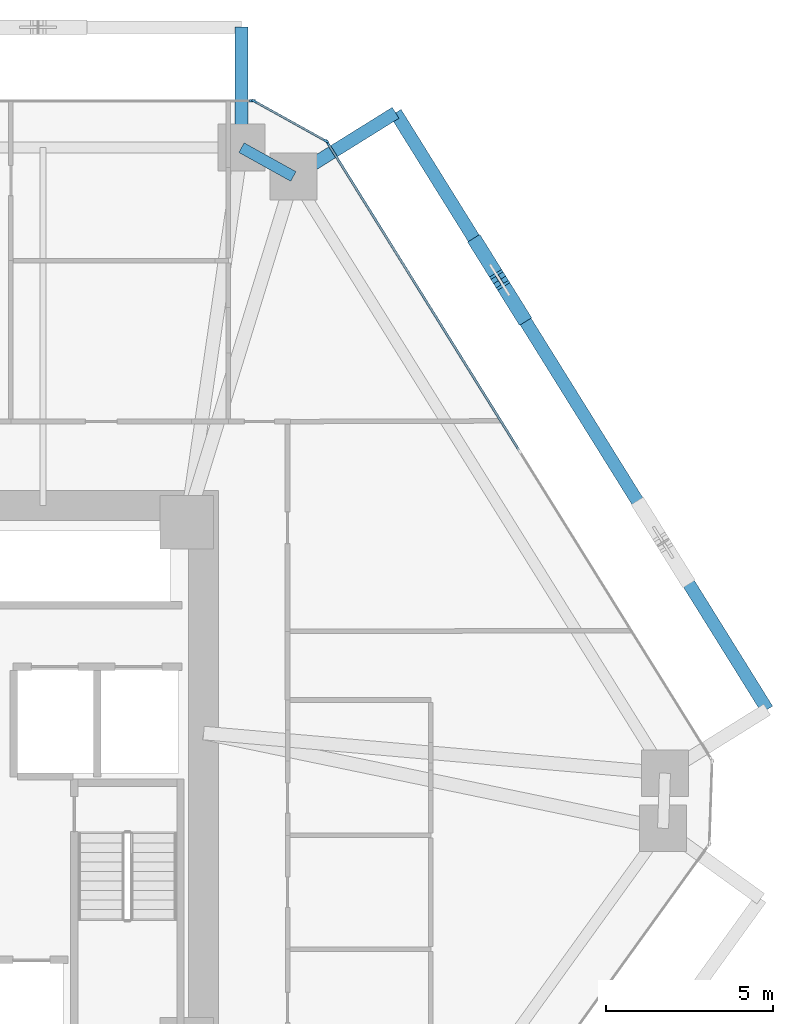
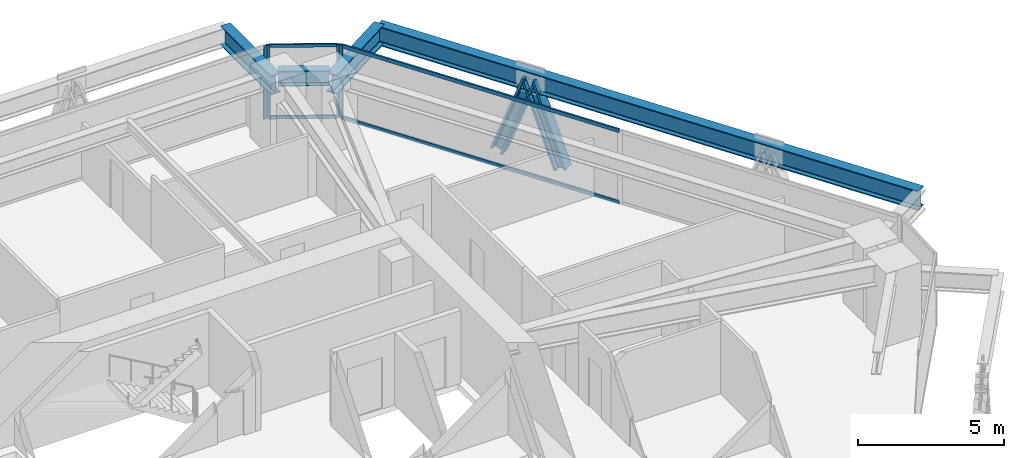
# One storey, part 9 of 17: 10 members, 4 beams, 3 elements without a shape of their own.
"""IFC4 building model written with IfcOpenShell, lengths in metres."""

from ifc_helpers import new_model, si_unit, direction, frame, origin, origin_2d, place, context, subcontext, project, spatial, rectangle, i_section, extrude, source, transform, mapped, material, layer, layer_set, material_profile, profile_set, type_object, type_shapes, element, aggregate, save


model = new_model("IFC4")

# Units and contexts
model_context = context("Model", 3, precision=1e-05, world=origin(), true_north=direction((0.0, 1.0)))
body_context = subcontext(model_context, "Body", "Model", "MODEL_VIEW")
ifc_project = project(units=[si_unit("LENGTHUNIT", "METRE"), si_unit("AREAUNIT", "SQUARE_METRE"), si_unit("VOLUMEUNIT", "CUBIC_METRE"), si_unit("PLANEANGLEUNIT", "RADIAN"), si_unit("MASSUNIT", "GRAM", prefix="KILO")], contexts=[model_context])

# Site, building, storey
site_placement = place(None, origin())
site = spatial("IfcSite", under=ifc_project, at=site_placement, CompositionType="ELEMENT")
building_placement = place(site_placement, origin())
building = spatial("IfcBuilding", under=site, at=building_placement, Name="Durnholm Broadcast Tower", CompositionType="ELEMENT")
storey_placement = place(building_placement, frame((0.0, 0.0, 45.60009765625)))
storey = spatial("IfcBuildingStorey", under=building, at=storey_placement, Name="L10", CompositionType="ELEMENT", Elevation=45.60009765625)

# Beams
ifc_material_1 = material(Name="Steel ASTM A992 Grade 50", Category="steel")
ifc_material_profile_1 = material_profile(ifc_material_1, i_section(OverallWidth=0.3291015625, OverallDepth=0.635009765625, WebThickness=0.017822265625, FlangeThickness=0.031005859375, FilletRadius=0.02783203125, at=origin_2d()), Name="W24X162")
ifc_profile_set_1 = profile_set([ifc_material_profile_1], Name="Steel ASTM A992 Grade 50")
beam_type_1 = type_object("IfcBeamType", Name="STL-SP-W24X162", PredefinedType="SPANDREL", material=ifc_profile_set_1)
shared_shape_1 = source(origin(), body_context, "Body", "SweptSolid", [
    extrude(i_section(OverallWidth=0.3291015625, OverallDepth=0.635009765625, WebThickness=0.017822265625, FlangeThickness=0.031005859375, FilletRadius=0.02783203125, at=origin_2d()), origin(), (0.0, 0.0, 1.0), 1.774658203125),
])
type_shapes(beam_type_1, [shared_shape_1])
beam_1_placement = place(storey_placement, frame((11.43115234375, 19.0, 2.727294921875), z_axis=(0.874248107979, -0.485479397806, 0.0), x_axis=(0.485479397806, 0.874248107979, 0.0)))
element("IfcBeam", 1, at=beam_1_placement, inside=storey, type_object=beam_type_1, Name="L10 perimeter spandrel girder 06", PredefinedType="SPANDREL", context=body_context, shape_type="MappedRepresentation", body=[
    mapped(shared_shape_1, transform((0.0, 0.0, 0.0), x_axis=(1.0, 0.0, 0.0), y_axis=(0.0, 1.0, 0.0), z_axis=(0.0, 0.0, 1.0), scale=1.0)),
])
ifc_material_profile_2 = material_profile(ifc_material_1, i_section(OverallWidth=0.385009765625, OverallDepth=0.802978515625, WebThickness=0.023681640625, FlangeThickness=0.0419921875, FilletRadius=0.032958984375, at=origin_2d()), Name="W30X261")
ifc_profile_set_2 = profile_set([ifc_material_profile_2], Name="Steel ASTM A992 Grade 50")
beam_type_2 = type_object("IfcBeamType", Name="BM-EXO-TIE", PredefinedType="USERDEFINED", material=ifc_profile_set_2)
shared_shape_2 = source(origin(), body_context, "Body", "SweptSolid", [
    extrude(i_section(OverallWidth=0.385009765625, OverallDepth=0.802978515625, WebThickness=0.023681640625, FlangeThickness=0.0419921875, FilletRadius=0.032958984375, at=origin_2d()), origin(), (0.0, 0.0, 1.0), 3.4560546875),
])
for number, where, z_axis, x_axis, name in (
    (2, (13.10498046875, 18.214599609375, 2.308349609375), (0.848854443891, 0.528626648105, 0.0), (-0.528626648105, 0.848854443891, 0.0), "L10 exoskeleton stand-off tie bracket F3.2"),
    (3, (11.43115234375, 19.14404296875, 2.308349609375), (0.0, 1.0, 0.0), (-1.0, 0.0, 0.0), "L10 exoskeleton stand-off tie bracket F4.1"),
):
    element("IfcBeam", number, at=place(storey_placement, frame(where, z_axis=z_axis, x_axis=x_axis)), inside=storey, type_object=beam_type_2, Name=name, ObjectType="GIRDER", PredefinedType="USERDEFINED", context=body_context, shape_type="MappedRepresentation", body=[
        mapped(shared_shape_2, transform((0.0, 0.0, 0.0), x_axis=(1.0, 0.0, 0.0), y_axis=(0.0, 1.0, 0.0), z_axis=(0.0, 0.0, 1.0), scale=1.0)),
    ])
shared_shape_3 = source(origin(), body_context, "Body", "SweptSolid", [
    extrude(i_section(OverallWidth=0.385009765625, OverallDepth=0.802978515625, WebThickness=0.023681640625, FlangeThickness=0.0419921875, FilletRadius=0.032958984375, at=origin_2d()), origin(), (0.0, 0.0, 1.0), 21.0146484375),
])
type_shapes(beam_type_2, [shared_shape_2, shared_shape_3])
beam_2_placement = place(storey_placement, frame((27.146728515625, 2.20263671875, 2.308349609375), z_axis=(-0.528590518575, 0.848876942597, 0.0), x_axis=(-0.848876942597, -0.528590518575, 0.0)))
element("IfcBeam", 4, at=beam_2_placement, inside=storey, type_object=beam_type_2, Name="L10 exoskeleton collector spandrel F3", PredefinedType="SPANDREL", context=body_context, shape_type="MappedRepresentation", body=[
    mapped(shared_shape_3, transform((0.0, 0.0, 0.0), x_axis=(1.0, 0.0, 0.0), y_axis=(0.0, 1.0, 0.0), z_axis=(0.0, 0.0, 1.0), scale=1.0)),
])

# Members
ifc_material_2 = material(Name="Steel ASTM A913 Grade 65", Category="steel")
ifc_material_profile_3 = material_profile(ifc_material_2, i_section(OverallWidth=0.43212890625, OverallDepth=0.497802734375, WebThickness=0.0556640625, FlangeThickness=0.0888671875, FilletRadius=0.030517578125, at=origin_2d()), Name="W14X500")
ifc_profile_set_3 = profile_set([ifc_material_profile_3], Name="Steel ASTM A913 Grade 65")
member_type_1 = type_object("IfcMemberType", Name="STL-DG-W14X500", PredefinedType="BRACE", material=ifc_profile_set_3)
shared_shape_4 = source(origin(), body_context, "Body", "SweptSolid", [
    extrude(i_section(OverallWidth=0.43212890625, OverallDepth=0.497802734375, WebThickness=0.0556640625, FlangeThickness=0.0888671875, FilletRadius=0.030517578125, at=origin_2d()), origin(), (0.0, 0.0, 1.0), 3.52294921875),
])
type_shapes(member_type_1, [shared_shape_4])
for number, where, z_axis, x_axis, name in (
    (5, (19.801025390625, 13.9990234375, -0.991455078125), (-0.185102397695, 0.297300369192, 0.936669414919), (-0.848908635391, -0.528539618911, 0.0), "L10 stand-off diagrid brace F3.D2.1"),
    (6, (18.496826171875, 16.09375, -0.991455078125), (0.185102397695, -0.297300369192, 0.936669414919), (0.848908635391, 0.528539618911, 0.0), "L10 stand-off diagrid brace F3.D2.2"),
):
    element("IfcMember", number, at=place(storey_placement, frame(where, z_axis=z_axis, x_axis=x_axis)), inside=storey, type_object=member_type_1, Name=name, PredefinedType="BRACE", context=body_context, shape_type="MappedRepresentation", body=[
        mapped(shared_shape_4, transform((0.0, 0.0, 0.0), x_axis=(1.0, 0.0, 0.0), y_axis=(0.0, 1.0, 0.0), z_axis=(0.0, 0.0, 1.0), scale=1.0)),
    ])

# Curtain wall, members
ifc_material_3 = material(Name="Aluminium and Solar Control IGU", Category="aluminium")
ifc_layer_1 = layer(ifc_material_3, 0.1650390625)
ifc_layer_set_1 = layer_set([ifc_layer_1], Name="Aluminium and Solar Control IGU")
curtain_wall_type_1 = type_object("IfcCurtainWallType", Name="CW-SYS-5", PredefinedType="NOTDEFINED", material=ifc_layer_set_1)
curtain_wall_1_placement = place(storey_placement, origin())
curtain_wall_1 = element("IfcCurtainWall", 7, at=curtain_wall_1_placement, inside=storey, type_object=curtain_wall_type_1, Name="L10 curtain wall CW-CORNER CW-L10-CRN-05", PredefinedType="NOTDEFINED")
ifc_material_4 = material(Name="Aluminium 6063-T6", Category="aluminium")
ifc_material_profile_4 = material_profile(ifc_material_4, rectangle(XDim=0.06494140625, YDim=0.1298828125, at=origin_2d()), Name="CWT65X130")
ifc_profile_set_4 = profile_set([ifc_material_profile_4], Name="Aluminium 6063-T6")
member_type_2 = type_object("IfcMemberType", Name="CW-SYS-5-TRN", PredefinedType="USERDEFINED", material=ifc_profile_set_4)
shared_shape_5 = source(origin(), body_context, "Body", "SweptSolid", [
    extrude(rectangle(XDim=0.06494140625, YDim=0.1298828125, at=origin_2d()), origin(), (0.0, 0.0, 1.0), 2.3701171875),
])
type_shapes(member_type_2, [shared_shape_5])
member_1_placement = place(storey_placement, frame((11.8505859375, 20.368408203125, 0.032470703125), z_axis=(0.874244723151, -0.485485493132, 0.0), x_axis=(0.485485493132, 0.874244723151, 0.0)))
member_1 = element("IfcMember", 8, at=member_1_placement, type_object=member_type_2, Name="CW-CORNER transom 1.1", ObjectType="TRANSOM", PredefinedType="USERDEFINED", context=body_context, shape_type="MappedRepresentation", body=[
    mapped(shared_shape_5, transform((0.0, 0.0, 0.0), x_axis=(1.0, 0.0, 0.0), y_axis=(0.0, 1.0, 0.0), z_axis=(0.0, 0.0, 1.0), scale=1.0)),
])
member_2_placement = place(storey_placement, frame((11.8505859375, 20.368408203125, 3.02734375), z_axis=(0.874244723151, -0.485485493132, 0.0), x_axis=(0.485485493132, 0.874244723151, 0.0)))
member_2 = element("IfcMember", 9, at=member_2_placement, type_object=member_type_2, Name="CW-CORNER transom 1.2", ObjectType="TRANSOM", PredefinedType="USERDEFINED", context=body_context, shape_type="MappedRepresentation", body=[
    mapped(shared_shape_5, transform((0.0, 0.0, 0.0), x_axis=(1.0, 0.0, 0.0), y_axis=(0.0, 1.0, 0.0), z_axis=(0.0, 0.0, 1.0), scale=1.0)),
])

ifc_layer_2 = layer(ifc_material_3, 0.18994140625)
ifc_layer_set_2 = layer_set([ifc_layer_2], Name="Aluminium and Solar Control IGU")
curtain_wall_type_2 = type_object("IfcCurtainWallType", Name="CW-SYS-3", PredefinedType="NOTDEFINED", material=ifc_layer_set_2)
curtain_wall_2_placement = place(storey_placement, origin())
curtain_wall_2 = element("IfcCurtainWall", 10, at=curtain_wall_2_placement, inside=storey, type_object=curtain_wall_type_2, Name="L10 curtain wall CW-Z12-VIS CW-L10-F06", PredefinedType="NOTDEFINED")
ifc_material_profile_5 = material_profile(ifc_material_4, rectangle(XDim=0.070068359375, YDim=0.14990234375, at=origin_2d()), Name="CWT70X150")
ifc_profile_set_5 = profile_set([ifc_material_profile_5], Name="Aluminium 6063-T6")
member_type_3 = type_object("IfcMemberType", Name="CW-SYS-3-TRN", PredefinedType="USERDEFINED", material=ifc_profile_set_5)
shared_shape_6 = source(origin(), body_context, "Body", "SweptSolid", [
    extrude(rectangle(XDim=0.070068359375, YDim=0.14990234375, at=origin_2d()), origin(), (0.0, 0.0, 1.0), 10.796630859375),
])
type_shapes(member_type_3, [shared_shape_6])
member_3_placement = place(storey_placement, frame((14.016357421875, 19.126953125, 0.034912109375), z_axis=(0.528591657678, -0.848876233283, 0.0), x_axis=(0.848876233283, 0.528591657678, 0.0)))
member_3 = element("IfcMember", 11, at=member_3_placement, type_object=member_type_3, Name="CW-Z12-VIS transom 1.1", ObjectType="TRANSOM", PredefinedType="USERDEFINED", context=body_context, shape_type="MappedRepresentation", body=[
    mapped(shared_shape_6, transform((0.0, 0.0, 0.0), x_axis=(1.0, 0.0, 0.0), y_axis=(0.0, 1.0, 0.0), z_axis=(0.0, 0.0, 1.0), scale=1.0)),
])
member_4_placement = place(storey_placement, frame((14.016357421875, 19.126953125, 3.02490234375), z_axis=(0.528591657678, -0.848876233283, 0.0), x_axis=(0.848876233283, 0.528591657678, 0.0)))
member_4 = element("IfcMember", 12, at=member_4_placement, type_object=member_type_3, Name="CW-Z12-VIS transom 1.2", ObjectType="TRANSOM", PredefinedType="USERDEFINED", context=body_context, shape_type="MappedRepresentation", body=[
    mapped(shared_shape_6, transform((0.0, 0.0, 0.0), x_axis=(1.0, 0.0, 0.0), y_axis=(0.0, 1.0, 0.0), z_axis=(0.0, 0.0, 1.0), scale=1.0)),
])

# Member
ifc_material_profile_6 = material_profile(ifc_material_4, rectangle(XDim=0.06494140625, YDim=0.1650390625, at=origin_2d()), Name="CWM65X165")
ifc_profile_set_6 = profile_set([ifc_material_profile_6], Name="Aluminium 6063-T6")
member_type_4 = type_object("IfcMemberType", Name="CW-SYS-5-MUL", PredefinedType="MULLION", material=ifc_profile_set_6)
shared_shape_7 = source(origin(), body_context, "Body", "SweptSolid", [
    extrude(rectangle(XDim=0.06494140625, YDim=0.1650390625, at=origin_2d()), origin(), (0.0, 0.0, 1.0), 3.059814453125),
])
type_shapes(member_type_4, [shared_shape_7])
member_5_placement = place(storey_placement, frame((11.822265625, 20.38427734375, 0.0), z_axis=(0.0, 0.0, 1.0), x_axis=(0.485483299359, 0.874245941394, 0.0)))
member_5 = element("IfcMember", 13, at=member_5_placement, type_object=member_type_4, Name="CW-CORNER mullion 1", PredefinedType="MULLION", context=body_context, shape_type="MappedRepresentation", body=[
    mapped(shared_shape_7, transform((0.0, 0.0, 0.0), x_axis=(1.0, 0.0, 0.0), y_axis=(0.0, 1.0, 0.0), z_axis=(0.0, 0.0, 1.0), scale=1.0)),
])

member_6_placement = place(storey_placement, frame((13.950927734375, 19.2021484375, 0.0), z_axis=(0.0, 0.0, 1.0), x_axis=(0.485483299359, 0.874245941394, 0.0)))
member_6 = element("IfcMember", 14, at=member_6_placement, type_object=member_type_4, Name="CW-CORNER mullion 2", PredefinedType="MULLION", context=body_context, shape_type="MappedRepresentation", body=[
    mapped(shared_shape_7, transform((0.0, 0.0, 0.0), x_axis=(1.0, 0.0, 0.0), y_axis=(0.0, 1.0, 0.0), z_axis=(0.0, 0.0, 1.0), scale=1.0)),
])

aggregate(curtain_wall_1, [member_5, member_6, member_1, member_2])

# Curtain wall, member
curtain_wall_3_placement = place(storey_placement, origin())
curtain_wall_3 = element("IfcCurtainWall", 15, at=curtain_wall_3_placement, inside=storey, type_object=curtain_wall_type_2, Name="L10 curtain wall CW-Z12-VIS CW-L10-F04", PredefinedType="NOTDEFINED")
ifc_material_profile_7 = material_profile(ifc_material_4, rectangle(XDim=0.070068359375, YDim=0.18994140625, at=origin_2d()), Name="CWM70X190")
ifc_profile_set_7 = profile_set([ifc_material_profile_7], Name="Aluminium 6063-T6")
member_type_5 = type_object("IfcMemberType", Name="CW-SYS-3-MUL", PredefinedType="MULLION", material=ifc_profile_set_7)
shared_shape_8 = source(origin(), body_context, "Body", "SweptSolid", [
    extrude(rectangle(XDim=0.070068359375, YDim=0.18994140625, at=origin_2d()), origin(), (0.0, 0.0, 1.0), 3.059814453125),
])
type_shapes(member_type_5, [shared_shape_8])
member_7_placement = place(storey_placement, frame((11.7587890625, 20.39990234375, 0.0), z_axis=(0.0, 0.0, 1.0), x_axis=(0.0, 1.0, 0.0)))
member_7 = element("IfcMember", 16, at=member_7_placement, type_object=member_type_5, Name="CW-Z12-VIS mullion 3", PredefinedType="MULLION", context=body_context, shape_type="MappedRepresentation", body=[
    mapped(shared_shape_8, transform((0.0, 0.0, 0.0), x_axis=(1.0, 0.0, 0.0), y_axis=(0.0, 1.0, 0.0), z_axis=(0.0, 0.0, 1.0), scale=1.0)),
])
aggregate(curtain_wall_3, [member_7])

# Member
member_8_placement = place(storey_placement, frame((13.997802734375, 19.156494140625, 0.0), z_axis=(0.0, 0.0, 1.0), x_axis=(0.848875785503, 0.528592376777, 0.0)))
member_8 = element("IfcMember", 17, at=member_8_placement, type_object=member_type_5, Name="CW-Z12-VIS mullion 1", PredefinedType="MULLION", context=body_context, shape_type="MappedRepresentation", body=[
    mapped(shared_shape_8, transform((0.0, 0.0, 0.0), x_axis=(1.0, 0.0, 0.0), y_axis=(0.0, 1.0, 0.0), z_axis=(0.0, 0.0, 1.0), scale=1.0)),
])

aggregate(curtain_wall_2, [member_8, member_3, member_4])

save(model, "model.ifc")
